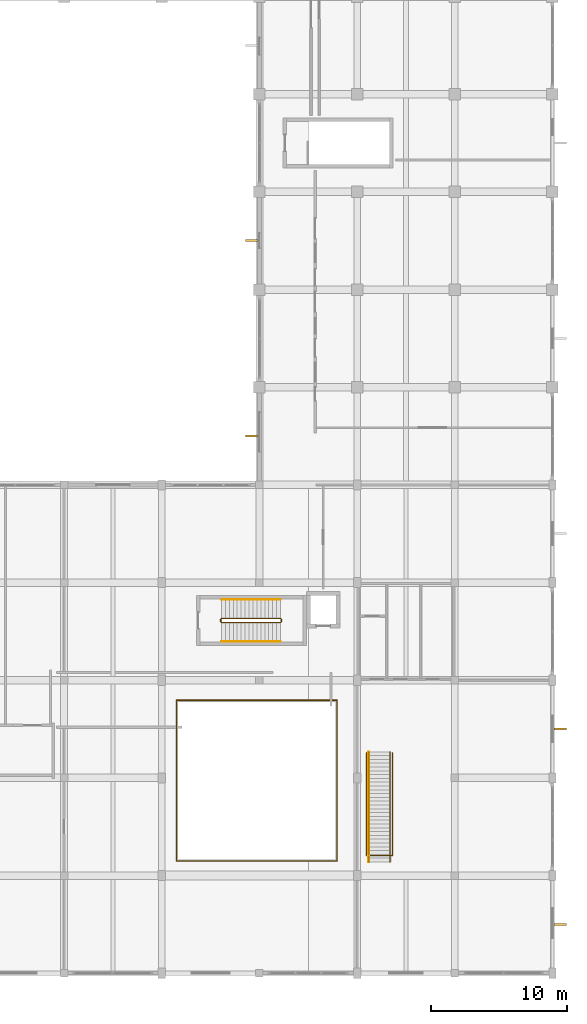
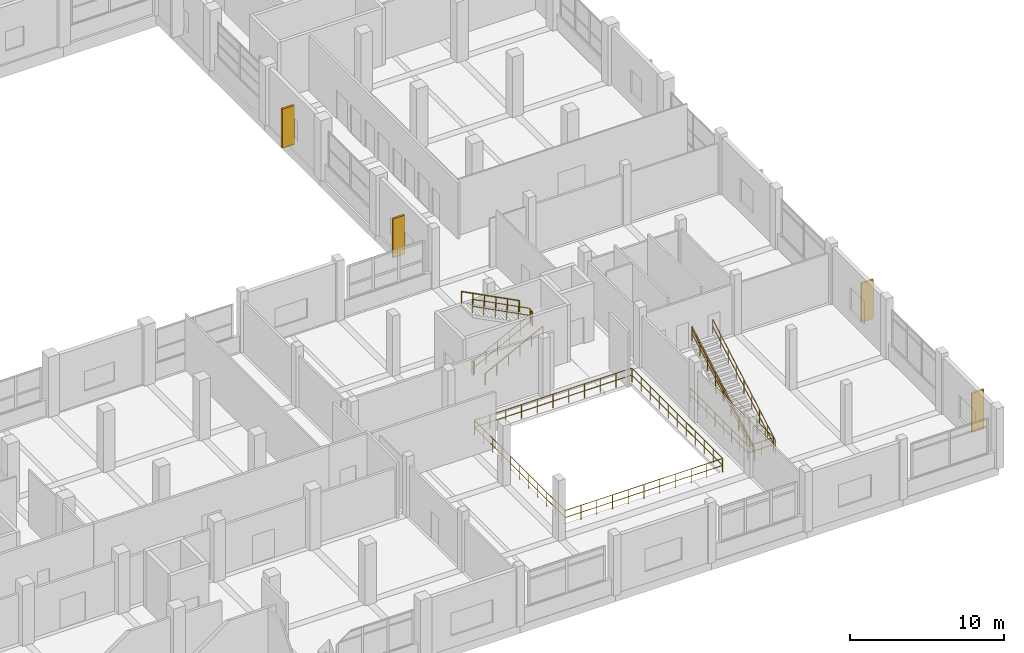
# One storey, part 180 of 181: 16 railings, 4 shading devices.
"""IFC4 building model written with IfcOpenShell, lengths in metres."""

from ifc_helpers import new_model, si_unit, direction, frame, origin, origin_2d, place, context, subcontext, project, spatial, rectangle, circle, extrude, material, type_object, element, save


model = new_model("IFC4")

# Units and contexts
model_context = context("Model", 3, precision=1e-05, world=origin(), true_north=direction((0.0, 1.0)))
body_context = subcontext(model_context, "Body", "Model", "MODEL_VIEW")
ifc_project = project(units=[si_unit("LENGTHUNIT", "METRE"), si_unit("AREAUNIT", "SQUARE_METRE"), si_unit("VOLUMEUNIT", "CUBIC_METRE"), si_unit("PLANEANGLEUNIT", "RADIAN"), si_unit("MASSUNIT", "GRAM", prefix="KILO")], contexts=[model_context])

# Site, building, storey
site_placement = place(None, origin())
site = spatial("IfcSite", under=ifc_project, at=site_placement, CompositionType="ELEMENT")
building_placement = place(site_placement, origin())
building = spatial("IfcBuilding", under=site, at=building_placement, Name="Seraya Terrace Polytechnic", CompositionType="ELEMENT")
storey_placement = place(building_placement, frame((0.0, 0.0, 4.800048828125)))
storey = spatial("IfcBuildingStorey", under=building, at=storey_placement, Name="L01", CompositionType="ELEMENT", Elevation=4.800048828125)

# Shading devices
ifc_material_1 = material(Name="Precast concrete C40/50", Category="concrete")
shading_device_type = type_object("IfcShadingDeviceType", Name="BS-F1", PredefinedType="JALOUSIE", material=ifc_material_1)
for number, where, z_axis, x_axis, name in (
    (1, (166.179931640625, 18.0, 0.449951171875), (0.0, 0.0, 1.0), (1.0, 0.0, 0.0), "Precast concrete brise-soleil fin L01"),
    (2, (166.179931640625, 3.60009765625, 0.449951171875), (0.0, 0.0, 1.0), (1.0, 0.0, 0.0), "Precast concrete brise-soleil fin L01"),
    (3, (143.419921875, 39.60009765625, 0.449951171875), (0.0, 0.0, 1.0), (-1.0, 0.0, 0.0), "Precast concrete brise-soleil fin L01"),
    (4, (143.419921875, 54.0, 0.449951171875), (0.0, 0.0, 1.0), (-1.0, 0.0, 0.0), "Precast concrete brise-soleil fin L01"),
):
    element("IfcShadingDevice", number, at=place(storey_placement, frame(where, z_axis=z_axis, x_axis=x_axis)), inside=storey, type_object=shading_device_type, Name=name, PredefinedType="JALOUSIE", context=body_context, shape_type="SweptSolid", body=[
        extrude(rectangle(XDim=0.89990234375, YDim=0.14990234375, at=origin_2d()), origin(), (0.0, 0.0, 1.0), 3.10009765625),
    ])

# Railings
ifc_material_2 = material(Name="Steel S355J2", Category="steel")
railing_type_1 = type_object("IfcRailingType", Name="GR-02", PredefinedType="GUARDRAIL", material=ifc_material_2)
railing_1_placement = place(storey_placement, frame((141.199951171875, 25.85009765625, 0.14990234375)))
element("IfcRailing", 5, at=railing_1_placement, inside=storey, type_object=railing_type_1, Name="L01 ST-10 stair guard 1", PredefinedType="GUARDRAIL", context=body_context, shape_type="SweptSolid", body=[
    extrude(circle(Radius=0.02392578125, at=origin_2d()), frame((0.0, 0.0, 1.10595703125), z_axis=(0.888221851817, 0.0, 0.459414782038), x_axis=(0.0, 1.0, 0.0)), (0.0, 0.0, 1.0), 4.8974609375),
    extrude(circle(Radius=0.02392578125, at=origin_2d()), frame((0.0, 0.0, 0.550048828125), z_axis=(0.888221851817, 0.0, 0.459414782038), x_axis=(0.0, 1.0, 0.0)), (0.0, 0.0, 1.0), 4.8974609375),
    extrude(circle(Radius=0.02099609375, at=origin_2d()), origin(), (0.0, 0.0, 1.0), 1.081787109375),
    extrude(circle(Radius=0.02099609375, at=origin_2d()), frame((0.8701171875, 0.0, 0.449951171875)), (0.0, 0.0, 1.0), 1.081787109375),
    extrude(circle(Radius=0.02099609375, at=origin_2d()), frame((1.739990234375, 0.0, 0.89990234375)), (0.0, 0.0, 1.0), 1.081787109375),
    extrude(circle(Radius=0.02099609375, at=origin_2d()), frame((2.610107421875, 0.0, 1.35009765625)), (0.0, 0.0, 1.0), 1.081787109375),
    extrude(circle(Radius=0.02099609375, at=origin_2d()), frame((3.47998046875, 0.0, 1.800048828125)), (0.0, 0.0, 1.0), 1.081787109375),
    extrude(circle(Radius=0.02099609375, at=origin_2d()), frame((4.35009765625, 0.0, 2.25)), (0.0, 0.0, 1.0), 1.081787109375),
])
railing_2_placement = place(storey_placement, frame((145.60009765625, 25.89990234375, 2.39990234375)))
element("IfcRailing", 6, at=railing_2_placement, inside=storey, type_object=railing_type_1, Name="L01 ST-10 stair guard 2", PredefinedType="GUARDRAIL", context=body_context, shape_type="SweptSolid", body=[
    extrude(circle(Radius=0.02392578125, at=origin_2d()), frame((0.0, 0.0, 1.10595703125), z_axis=(0.0, 1.0, 0.0), x_axis=(-1.0, 0.0, 0.0)), (0.0, 0.0, 1.0), 0.2001953125),
    extrude(circle(Radius=0.02392578125, at=origin_2d()), frame((0.0, 0.0, 0.550048828125), z_axis=(0.0, 1.0, 0.0), x_axis=(-1.0, 0.0, 0.0)), (0.0, 0.0, 1.0), 0.2001953125),
    extrude(circle(Radius=0.02099609375, at=origin_2d()), origin(), (0.0, 0.0, 1.0), 1.081787109375),
    extrude(circle(Radius=0.02099609375, at=origin_2d()), frame((0.0, 0.2001953125, 0.0)), (0.0, 0.0, 1.0), 1.081787109375),
])
railing_3_placement = place(storey_placement, frame((145.550048828125, 26.14990234375, 2.550048828125)))
element("IfcRailing", 7, at=railing_3_placement, inside=storey, type_object=railing_type_1, Name="L01 ST-10 stair guard 3", PredefinedType="GUARDRAIL", context=body_context, shape_type="SweptSolid", body=[
    extrude(circle(Radius=0.02392578125, at=origin_2d()), frame((0.0, 0.0, 1.10595703125), z_axis=(-0.888221851817, 0.0, 0.459414782038), x_axis=(0.0, -1.0, 0.0)), (0.0, 0.0, 1.0), 4.8974609375),
    extrude(circle(Radius=0.02392578125, at=origin_2d()), frame((0.0, 0.0, 0.550048828125), z_axis=(-0.888221851817, 0.0, 0.459414782038), x_axis=(0.0, -1.0, 0.0)), (0.0, 0.0, 1.0), 4.8974609375),
    extrude(circle(Radius=0.02099609375, at=origin_2d()), origin(), (0.0, 0.0, 1.0), 1.081787109375),
    extrude(circle(Radius=0.02099609375, at=origin_2d()), frame((-0.8701171875, 0.0, 0.449951171875)), (0.0, 0.0, 1.0), 1.081787109375),
    extrude(circle(Radius=0.02099609375, at=origin_2d()), frame((-1.739990234375, 0.0, 0.89990234375)), (0.0, 0.0, 1.0), 1.081787109375),
    extrude(circle(Radius=0.02099609375, at=origin_2d()), frame((-2.610107421875, 0.0, 1.35009765625)), (0.0, 0.0, 1.0), 1.081787109375),
    extrude(circle(Radius=0.02099609375, at=origin_2d()), frame((-3.47998046875, 0.0, 1.800048828125)), (0.0, 0.0, 1.0), 1.081787109375),
    extrude(circle(Radius=0.02099609375, at=origin_2d()), frame((-4.35009765625, 0.0, 2.25)), (0.0, 0.0, 1.0), 1.081787109375),
])
railing_4_placement = place(storey_placement, frame((141.14990234375, 25.89990234375, 0.0)))
element("IfcRailing", 8, at=railing_4_placement, inside=storey, type_object=railing_type_1, Name="L01 ST-10 stair guard 4", PredefinedType="GUARDRAIL", context=body_context, shape_type="SweptSolid", body=[
    extrude(circle(Radius=0.02392578125, at=origin_2d()), frame((0.0, 0.0, 1.10595703125), z_axis=(0.0, 1.0, 0.0), x_axis=(-1.0, 0.0, 0.0)), (0.0, 0.0, 1.0), 0.2001953125),
    extrude(circle(Radius=0.02392578125, at=origin_2d()), frame((0.0, 0.0, 0.550048828125), z_axis=(0.0, 1.0, 0.0), x_axis=(-1.0, 0.0, 0.0)), (0.0, 0.0, 1.0), 0.2001953125),
    extrude(circle(Radius=0.02099609375, at=origin_2d()), origin(), (0.0, 0.0, 1.0), 1.081787109375),
    extrude(circle(Radius=0.02099609375, at=origin_2d()), frame((0.0, 0.2001953125, 0.0)), (0.0, 0.0, 1.0), 1.081787109375),
])
railing_5_placement = place(storey_placement, frame((151.8798828125, 8.679931640625, 0.0)))
element("IfcRailing", 9, at=railing_5_placement, inside=storey, type_object=railing_type_1, Name="ST-14 top opening guard L01.1", PredefinedType="GUARDRAIL", context=body_context, shape_type="SweptSolid", body=[
    extrude(circle(Radius=0.02392578125, at=origin_2d()), frame((0.0, 0.0, 1.10595703125), z_axis=(1.0, 0.0, 0.0), x_axis=(0.0, 1.0, 0.0)), (0.0, 0.0, 1.0), 1.920166015625),
    extrude(circle(Radius=0.02392578125, at=origin_2d()), frame((0.0, 0.0, 0.550048828125), z_axis=(1.0, 0.0, 0.0), x_axis=(0.0, 1.0, 0.0)), (0.0, 0.0, 1.0), 1.920166015625),
    extrude(circle(Radius=0.02099609375, at=origin_2d()), origin(), (0.0, 0.0, 1.0), 1.081787109375),
    extrude(circle(Radius=0.02099609375, at=origin_2d()), frame((0.9599609375, 0.0, 0.0)), (0.0, 0.0, 1.0), 1.081787109375),
    extrude(circle(Radius=0.02099609375, at=origin_2d()), frame((1.920166015625, 0.0, 0.0)), (0.0, 0.0, 1.0), 1.081787109375),
])
for number, where, name in (
    (10, (151.8798828125, 8.739990234375, 0.0), "ST-14 top opening guard L01.2"),
    (11, (153.800048828125, 8.739990234375, 0.0), "ST-14 top opening guard L01.3"),
):
    element("IfcRailing", number, at=place(storey_placement, frame(where)), inside=storey, type_object=railing_type_1, Name=name, PredefinedType="GUARDRAIL", context=body_context, shape_type="SweptSolid", body=[
        extrude(circle(Radius=0.02392578125, at=origin_2d()), frame((0.0, 0.0, 1.10595703125), z_axis=(0.0, 1.0, 0.0), x_axis=(-1.0, 0.0, 0.0)), (0.0, 0.0, 1.0), 7.47998046875),
        extrude(circle(Radius=0.02392578125, at=origin_2d()), frame((0.0, 0.0, 0.550048828125), z_axis=(0.0, 1.0, 0.0), x_axis=(-1.0, 0.0, 0.0)), (0.0, 0.0, 1.0), 7.47998046875),
        extrude(circle(Radius=0.02099609375, at=origin_2d()), origin(), (0.0, 0.0, 1.0), 1.081787109375),
        extrude(circle(Radius=0.02099609375, at=origin_2d()), frame((0.0, 1.068603515625, 0.0)), (0.0, 0.0, 1.0), 1.081787109375),
        extrude(circle(Radius=0.02099609375, at=origin_2d()), frame((0.0, 2.13720703125, 0.0)), (0.0, 0.0, 1.0), 1.081787109375),
        extrude(circle(Radius=0.02099609375, at=origin_2d()), frame((0.0, 3.205810546875, 0.0)), (0.0, 0.0, 1.0), 1.081787109375),
        extrude(circle(Radius=0.02099609375, at=origin_2d()), frame((0.0, 4.274169921875, 0.0)), (0.0, 0.0, 1.0), 1.081787109375),
        extrude(circle(Radius=0.02099609375, at=origin_2d()), frame((0.0, 5.3427734375, 0.0)), (0.0, 0.0, 1.0), 1.081787109375),
        extrude(circle(Radius=0.02099609375, at=origin_2d()), frame((0.0, 6.411376953125, 0.0)), (0.0, 0.0, 1.0), 1.081787109375),
        extrude(circle(Radius=0.02099609375, at=origin_2d()), frame((0.0, 7.47998046875, 0.0)), (0.0, 0.0, 1.0), 1.081787109375),
    ])
for number, where, name in (
    (12, (153.6201171875, 8.199951171875, 0.159912109375), "ST-14 flight guard L01"),
    (13, (152.06005859375, 8.199951171875, 0.159912109375), "ST-14 flight outer guard L01"),
):
    element("IfcRailing", number, at=place(storey_placement, frame(where)), inside=storey, type_object=railing_type_1, Name=name, PredefinedType="GUARDRAIL", context=body_context, shape_type="SweptSolid", body=[
        extrude(circle(Radius=0.02392578125, at=origin_2d()), frame((0.0, 0.0, 1.10595703125), z_axis=(0.0, 0.868239929229, 0.496144560882), x_axis=(-1.0, 0.0, 0.0)), (0.0, 0.0, 1.0), 9.352294921875),
        extrude(circle(Radius=0.02392578125, at=origin_2d()), frame((0.0, 0.0, 0.550048828125), z_axis=(0.0, 0.868239929229, 0.496144560882), x_axis=(-1.0, 0.0, 0.0)), (0.0, 0.0, 1.0), 9.352294921875),
        extrude(circle(Radius=0.02099609375, at=origin_2d()), origin(), (0.0, 0.0, 1.0), 1.081787109375),
        extrude(circle(Radius=0.02099609375, at=origin_2d()), frame((0.0, 1.01513671875, 0.580078125)), (0.0, 0.0, 1.0), 1.081787109375),
        extrude(circle(Radius=0.02099609375, at=origin_2d()), frame((0.0, 2.030029296875, 1.16015625)), (0.0, 0.0, 1.0), 1.081787109375),
        extrude(circle(Radius=0.02099609375, at=origin_2d()), frame((0.0, 3.044921875, 1.739990234375)), (0.0, 0.0, 1.0), 1.081787109375),
        extrude(circle(Radius=0.02099609375, at=origin_2d()), frame((0.0, 4.06005859375, 2.320068359375)), (0.0, 0.0, 1.0), 1.081787109375),
        extrude(circle(Radius=0.02099609375, at=origin_2d()), frame((0.0, 5.0751953125, 2.900146484375)), (0.0, 0.0, 1.0), 1.081787109375),
        extrude(circle(Radius=0.02099609375, at=origin_2d()), frame((0.0, 6.090087890625, 3.47998046875)), (0.0, 0.0, 1.0), 1.081787109375),
        extrude(circle(Radius=0.02099609375, at=origin_2d()), frame((0.0, 7.10498046875, 4.06005859375)), (0.0, 0.0, 1.0), 1.081787109375),
        extrude(circle(Radius=0.02099609375, at=origin_2d()), frame((0.0, 8.1201171875, 4.64013671875)), (0.0, 0.0, 1.0), 1.081787109375),
    ])
for number, where, name in (
    (14, (137.8798828125, 8.280029296875, 0.0), "Atrium void perimeter guardrail VOID-UNION-L01 S"),
    (15, (137.8798828125, 20.1201171875, 0.0), "Atrium void perimeter guardrail VOID-UNION-L01 N"),
):
    element("IfcRailing", number, at=place(storey_placement, frame(where)), inside=storey, type_object=railing_type_1, Name=name, PredefinedType="GUARDRAIL", context=body_context, shape_type="SweptSolid", body=[
        extrude(circle(Radius=0.02392578125, at=origin_2d()), frame((0.0, 0.0, 1.10595703125), z_axis=(1.0, 0.0, 0.0), x_axis=(0.0, 1.0, 0.0)), (0.0, 0.0, 1.0), 11.840087890625),
        extrude(circle(Radius=0.02392578125, at=origin_2d()), frame((0.0, 0.0, 0.550048828125), z_axis=(1.0, 0.0, 0.0), x_axis=(0.0, 1.0, 0.0)), (0.0, 0.0, 1.0), 11.840087890625),
        extrude(circle(Radius=0.02099609375, at=origin_2d()), origin(), (0.0, 0.0, 1.0), 1.081787109375),
        extrude(circle(Radius=0.02099609375, at=origin_2d()), frame((1.18408203125, 0.0, 0.0)), (0.0, 0.0, 1.0), 1.081787109375),
        extrude(circle(Radius=0.02099609375, at=origin_2d()), frame((2.367919921875, 0.0, 0.0)), (0.0, 0.0, 1.0), 1.081787109375),
        extrude(circle(Radius=0.02099609375, at=origin_2d()), frame((3.552001953125, 0.0, 0.0)), (0.0, 0.0, 1.0), 1.081787109375),
        extrude(circle(Radius=0.02099609375, at=origin_2d()), frame((4.736083984375, 0.0, 0.0)), (0.0, 0.0, 1.0), 1.081787109375),
        extrude(circle(Radius=0.02099609375, at=origin_2d()), frame((5.919921875, 0.0, 0.0)), (0.0, 0.0, 1.0), 1.081787109375),
        extrude(circle(Radius=0.02099609375, at=origin_2d()), frame((7.10400390625, 0.0, 0.0)), (0.0, 0.0, 1.0), 1.081787109375),
        extrude(circle(Radius=0.02099609375, at=origin_2d()), frame((8.2880859375, 0.0, 0.0)), (0.0, 0.0, 1.0), 1.081787109375),
        extrude(circle(Radius=0.02099609375, at=origin_2d()), frame((9.47216796875, 0.0, 0.0)), (0.0, 0.0, 1.0), 1.081787109375),
        extrude(circle(Radius=0.02099609375, at=origin_2d()), frame((10.656005859375, 0.0, 0.0)), (0.0, 0.0, 1.0), 1.081787109375),
        extrude(circle(Radius=0.02099609375, at=origin_2d()), frame((11.840087890625, 0.0, 0.0)), (0.0, 0.0, 1.0), 1.081787109375),
    ])
for number, where, name in (
    (16, (137.8798828125, 8.340087890625, 0.0), "Atrium void perimeter guardrail VOID-UNION-L01 W"),
    (17, (149.719970703125, 8.340087890625, 0.0), "Atrium void perimeter guardrail VOID-UNION-L01 E"),
):
    element("IfcRailing", number, at=place(storey_placement, frame(where)), inside=storey, type_object=railing_type_1, Name=name, PredefinedType="GUARDRAIL", context=body_context, shape_type="SweptSolid", body=[
        extrude(circle(Radius=0.02392578125, at=origin_2d()), frame((0.0, 0.0, 1.10595703125), z_axis=(0.0, 1.0, 0.0), x_axis=(-1.0, 0.0, 0.0)), (0.0, 0.0, 1.0), 11.719970703125),
        extrude(circle(Radius=0.02392578125, at=origin_2d()), frame((0.0, 0.0, 0.550048828125), z_axis=(0.0, 1.0, 0.0), x_axis=(-1.0, 0.0, 0.0)), (0.0, 0.0, 1.0), 11.719970703125),
        extrude(circle(Radius=0.02099609375, at=origin_2d()), origin(), (0.0, 0.0, 1.0), 1.081787109375),
        extrude(circle(Radius=0.02099609375, at=origin_2d()), frame((0.0, 1.171875, 0.0)), (0.0, 0.0, 1.0), 1.081787109375),
        extrude(circle(Radius=0.02099609375, at=origin_2d()), frame((0.0, 2.343994140625, 0.0)), (0.0, 0.0, 1.0), 1.081787109375),
        extrude(circle(Radius=0.02099609375, at=origin_2d()), frame((0.0, 3.51611328125, 0.0)), (0.0, 0.0, 1.0), 1.081787109375),
        extrude(circle(Radius=0.02099609375, at=origin_2d()), frame((0.0, 4.68798828125, 0.0)), (0.0, 0.0, 1.0), 1.081787109375),
        extrude(circle(Radius=0.02099609375, at=origin_2d()), frame((0.0, 5.85986328125, 0.0)), (0.0, 0.0, 1.0), 1.081787109375),
        extrude(circle(Radius=0.02099609375, at=origin_2d()), frame((0.0, 7.031982421875, 0.0)), (0.0, 0.0, 1.0), 1.081787109375),
        extrude(circle(Radius=0.02099609375, at=origin_2d()), frame((0.0, 8.2041015625, 0.0)), (0.0, 0.0, 1.0), 1.081787109375),
        extrude(circle(Radius=0.02099609375, at=origin_2d()), frame((0.0, 9.3759765625, 0.0)), (0.0, 0.0, 1.0), 1.081787109375),
        extrude(circle(Radius=0.02099609375, at=origin_2d()), frame((0.0, 10.5478515625, 0.0)), (0.0, 0.0, 1.0), 1.081787109375),
        extrude(circle(Radius=0.02099609375, at=origin_2d()), frame((0.0, 11.719970703125, 0.0)), (0.0, 0.0, 1.0), 1.081787109375),
    ])
railing_type_2 = type_object("IfcRailingType", Name="HR-01", PredefinedType="HANDRAIL", material=ifc_material_2)
railing_6_placement = place(storey_placement, frame((141.199951171875, 24.449951171875, 0.14990234375)))
element("IfcRailing", 18, at=railing_6_placement, inside=storey, type_object=railing_type_2, Name="L01 ST-10 stair handrail 1", PredefinedType="HANDRAIL", context=body_context, shape_type="SweptSolid", body=[
    extrude(circle(Radius=0.02392578125, at=origin_2d()), frame((0.0, 0.0, 0.8759765625), z_axis=(0.888221851817, 0.0, 0.459414782038), x_axis=(0.0, 1.0, 0.0)), (0.0, 0.0, 1.0), 4.8974609375),
    extrude(circle(Radius=0.02099609375, at=origin_2d()), origin(), (0.0, 0.0, 1.0), 0.851806640625),
    extrude(circle(Radius=0.02099609375, at=origin_2d()), frame((0.8701171875, 0.0, 0.449951171875)), (0.0, 0.0, 1.0), 0.851806640625),
    extrude(circle(Radius=0.02099609375, at=origin_2d()), frame((1.739990234375, 0.0, 0.89990234375)), (0.0, 0.0, 1.0), 0.851806640625),
    extrude(circle(Radius=0.02099609375, at=origin_2d()), frame((2.610107421875, 0.0, 1.35009765625)), (0.0, 0.0, 1.0), 0.851806640625),
    extrude(circle(Radius=0.02099609375, at=origin_2d()), frame((3.47998046875, 0.0, 1.800048828125)), (0.0, 0.0, 1.0), 0.851806640625),
    extrude(circle(Radius=0.02099609375, at=origin_2d()), frame((4.35009765625, 0.0, 2.25)), (0.0, 0.0, 1.0), 0.851806640625),
])
railing_7_placement = place(storey_placement, frame((145.550048828125, 27.550048828125, 2.550048828125)))
element("IfcRailing", 19, at=railing_7_placement, inside=storey, type_object=railing_type_2, Name="L01 ST-10 stair handrail 2", PredefinedType="HANDRAIL", context=body_context, shape_type="SweptSolid", body=[
    extrude(circle(Radius=0.02392578125, at=origin_2d()), frame((0.0, 0.0, 0.8759765625), z_axis=(-0.888221851817, 0.0, 0.459414782038), x_axis=(0.0, -1.0, 0.0)), (0.0, 0.0, 1.0), 4.8974609375),
    extrude(circle(Radius=0.02099609375, at=origin_2d()), origin(), (0.0, 0.0, 1.0), 0.851806640625),
    extrude(circle(Radius=0.02099609375, at=origin_2d()), frame((-0.8701171875, 0.0, 0.449951171875)), (0.0, 0.0, 1.0), 0.851806640625),
    extrude(circle(Radius=0.02099609375, at=origin_2d()), frame((-1.739990234375, 0.0, 0.89990234375)), (0.0, 0.0, 1.0), 0.851806640625),
    extrude(circle(Radius=0.02099609375, at=origin_2d()), frame((-2.610107421875, 0.0, 1.35009765625)), (0.0, 0.0, 1.0), 0.851806640625),
    extrude(circle(Radius=0.02099609375, at=origin_2d()), frame((-3.47998046875, 0.0, 1.800048828125)), (0.0, 0.0, 1.0), 0.851806640625),
    extrude(circle(Radius=0.02099609375, at=origin_2d()), frame((-4.35009765625, 0.0, 2.25)), (0.0, 0.0, 1.0), 0.851806640625),
])
railing_8_placement = place(storey_placement, frame((152.06005859375, 8.199951171875, 0.159912109375)))
element("IfcRailing", 20, at=railing_8_placement, inside=storey, type_object=railing_type_2, Name="ST-14 handrail L01", PredefinedType="HANDRAIL", context=body_context, shape_type="SweptSolid", body=[
    extrude(circle(Radius=0.02392578125, at=origin_2d()), frame((0.0, 0.0, 0.8759765625), z_axis=(0.0, 0.868239929229, 0.496144560882), x_axis=(-1.0, 0.0, 0.0)), (0.0, 0.0, 1.0), 9.352294921875),
    extrude(circle(Radius=0.02099609375, at=origin_2d()), origin(), (0.0, 0.0, 1.0), 0.851806640625),
    extrude(circle(Radius=0.02099609375, at=origin_2d()), frame((0.0, 1.01513671875, 0.580078125)), (0.0, 0.0, 1.0), 0.851806640625),
    extrude(circle(Radius=0.02099609375, at=origin_2d()), frame((0.0, 2.030029296875, 1.16015625)), (0.0, 0.0, 1.0), 0.851806640625),
    extrude(circle(Radius=0.02099609375, at=origin_2d()), frame((0.0, 3.044921875, 1.739990234375)), (0.0, 0.0, 1.0), 0.851806640625),
    extrude(circle(Radius=0.02099609375, at=origin_2d()), frame((0.0, 4.06005859375, 2.320068359375)), (0.0, 0.0, 1.0), 0.851806640625),
    extrude(circle(Radius=0.02099609375, at=origin_2d()), frame((0.0, 5.0751953125, 2.900146484375)), (0.0, 0.0, 1.0), 0.851806640625),
    extrude(circle(Radius=0.02099609375, at=origin_2d()), frame((0.0, 6.090087890625, 3.47998046875)), (0.0, 0.0, 1.0), 0.851806640625),
    extrude(circle(Radius=0.02099609375, at=origin_2d()), frame((0.0, 7.10498046875, 4.06005859375)), (0.0, 0.0, 1.0), 0.851806640625),
    extrude(circle(Radius=0.02099609375, at=origin_2d()), frame((0.0, 8.1201171875, 4.64013671875)), (0.0, 0.0, 1.0), 0.851806640625),
])

save(model, "model.ifc")
